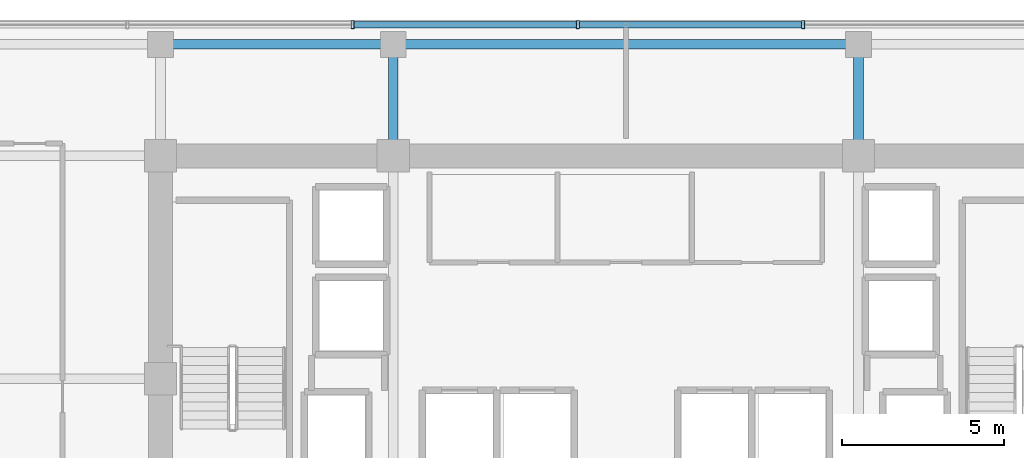
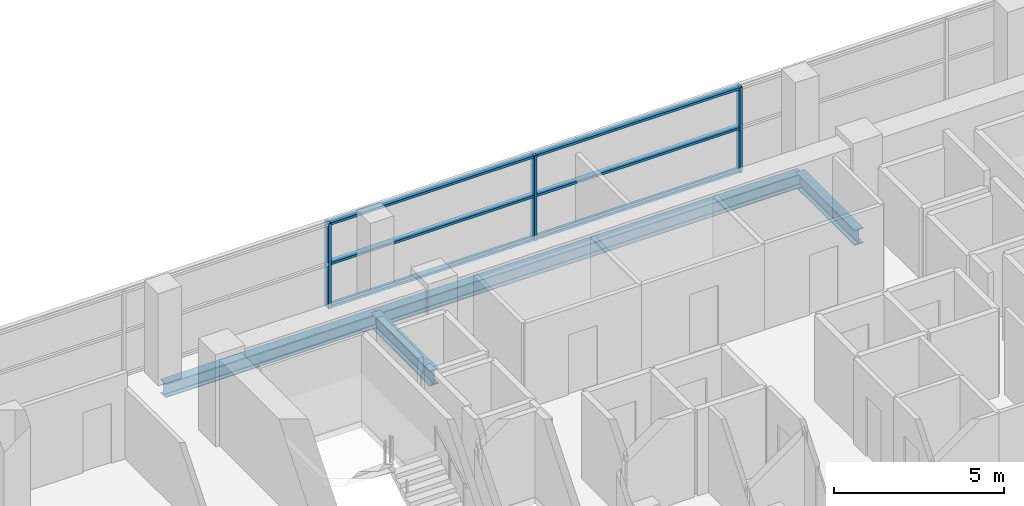
# One storey, part 13 of 24: 9 members, 4 beams, 1 element without a shape of its own.
"""IFC4 building model written with IfcOpenShell, lengths in metres."""

import ifcopenshell
import ifcopenshell.guid

model = None  # the IFC model being written
_history = None  # IfcOwnerHistory: only IFC2X3 demands one
_inside = {}  # id of a spatial element -> (the spatial element, [elements in it])
_under = {}  # id of a project, library or spatial element -> (it, [spatial elements below it])
_declared = {}  # id of a project -> (the project, [libraries it declares])
_typed = {}  # id of a type object -> (the type object, [elements of that type])
_made_of = {}  # id of a material, layer set ... -> (it, [elements and type objects made of it])


def new_model(schema):
    """Start an empty IFC model of exactly this schema.

    Asked for "IFC4X3", IfcOpenShell would pick the latest addendum, in which some entities
    have other attributes; the version numbers below select the first issue.
    IFC2X3 requires an IfcOwnerHistory on every rooted entity: one is made here for all.
    """
    global model, _history
    if schema == "IFC4X3":
        model = ifcopenshell.file(schema_version=(4, 3, 0, 0))
    else:
        model = ifcopenshell.file(schema=schema)
    _inside.clear()
    _under.clear()
    _declared.clear()
    _typed.clear()
    _made_of.clear()
    _history = None
    if model.schema == "IFC2X3":
        org = make("IfcOrganization", Name="unknown")
        user = make(
            "IfcPersonAndOrganization",
            ThePerson=make("IfcPerson", FamilyName="unknown"),
            TheOrganization=org,
        )
        app = make(
            "IfcApplication",
            ApplicationDeveloper=org,
            Version="unknown",
            ApplicationFullName="unknown",
            ApplicationIdentifier="unknown",
        )
        _history = make(
            "IfcOwnerHistory",
            OwningUser=user,
            OwningApplication=app,
            ChangeAction="ADDED",
            CreationDate=0,
        )
    return model


def make(cls, **values):
    """One entity of the class cls with the attributes given. An attribute that is None is left unset."""
    return model.create_entity(
        cls, **{name: value for name, value in values.items() if value is not None}
    )


def rooted(cls, **values):
    """An entity with a GlobalId (a new one), such as an element, a storey or a relation."""
    return make(cls, GlobalId=ifcopenshell.guid.new(), OwnerHistory=_history, **values)


def si_unit(unit_type, name, prefix=None):
    """IfcSIUnit, for example si_unit("LENGTHUNIT", "METRE", prefix="MILLI")."""
    return make("IfcSIUnit", UnitType=unit_type, Prefix=prefix, Name=name)


def assignment(units):
    """IfcUnitAssignment: the units of a project."""
    return None if units is None else make("IfcUnitAssignment", Units=units)


def point(xyz):
    """IfcCartesianPoint."""
    return None if xyz is None else make("IfcCartesianPoint", Coordinates=xyz)


def direction(xyz):
    """IfcDirection."""
    return None if xyz is None else make("IfcDirection", DirectionRatios=xyz)


def frame(location, z_axis=None, x_axis=None):
    """IfcAxis2Placement3D, a coordinate frame: its origin and axes. An axis left out is left unset."""
    return make(
        "IfcAxis2Placement3D",
        Location=point(location),
        Axis=direction(z_axis),
        RefDirection=direction(x_axis),
    )


def frame_2d(location, x_axis=None):
    """IfcAxis2Placement2D, a coordinate frame in the plane: its origin and x axis."""
    return make(
        "IfcAxis2Placement2D", Location=point(location), RefDirection=direction(x_axis)
    )


def origin():
    """The frame at (0, 0, 0) with its axes left unset."""
    return frame((0.0, 0.0, 0.0))


def origin_2d():
    """The frame at (0, 0) in the plane with its x axis left unset."""
    return frame_2d((0.0, 0.0))


def place(relative_to, where):
    """IfcLocalPlacement: puts the frame where relative to a parent placement (None: the world)."""
    return make(
        "IfcLocalPlacement", PlacementRelTo=relative_to, RelativePlacement=where
    )


def context(
    kind, dimensions, precision=None, world=None, true_north=None, identifier=None
):
    """IfcGeometricRepresentationContext, for example the 3D "Model" context."""
    return make(
        "IfcGeometricRepresentationContext",
        ContextIdentifier=identifier,
        ContextType=kind,
        CoordinateSpaceDimension=dimensions,
        Precision=precision,
        WorldCoordinateSystem=world,
        TrueNorth=true_north,
    )


def subcontext(parent, identifier, kind, view, scale=None):
    """IfcGeometricRepresentationSubContext, for example "Body" below "Model"."""
    return make(
        "IfcGeometricRepresentationSubContext",
        ContextIdentifier=identifier,
        ContextType=kind,
        ParentContext=parent,
        TargetScale=scale,
        TargetView=view,
    )


def project(units=None, contexts=None):
    """IfcProject with its units and contexts."""
    return rooted(
        "IfcProject",
        Name="project",
        RepresentationContexts=contexts,
        UnitsInContext=assignment(units),
    )


def spatial(cls, under=None, at=None, **own):
    """A site, building, storey or space (cls), placed at a placement, below another one or the project."""
    s = rooted(cls, ObjectPlacement=at, **own)
    if under is not None:
        _under.setdefault(under.id(), (under, []))[1].append(s)
    return s


def profile(cls, at=None, kind="AREA", **sizes):
    """A parametric profile (cls). Its sizes go by their IFC names, for example OverallWidth=200.0."""
    return make(cls, ProfileType=kind, Position=at, **sizes)


def hollow_rectangle(**sizes):
    """IfcRectangleHollowProfileDef."""
    return profile("IfcRectangleHollowProfileDef", **sizes)


def i_section(**sizes):
    """IfcIShapeProfileDef."""
    return profile("IfcIShapeProfileDef", **sizes)


def extrude(swept, where, along, depth):
    """IfcExtrudedAreaSolid: the profile swept, set in the frame where, extruded along a direction by depth."""
    return make(
        "IfcExtrudedAreaSolid",
        SweptArea=swept,
        Position=where,
        ExtrudedDirection=direction(along),
        Depth=depth,
    )


def shape(context_of_items, identifier, shape_type, items):
    """IfcShapeRepresentation: the items that make up one representation, for example the "Body"."""
    return make(
        "IfcShapeRepresentation",
        ContextOfItems=context_of_items,
        RepresentationIdentifier=identifier,
        RepresentationType=shape_type,
        Items=items,
    )


def source(mapping_origin, context_of_items, identifier, shape_type, items):
    """IfcRepresentationMap: a shape defined once, which mapped items show again and again."""
    return make(
        "IfcRepresentationMap",
        MappingOrigin=mapping_origin,
        MappedRepresentation=shape(context_of_items, identifier, shape_type, items),
    )


def transform(
    local_origin,
    x_axis=None,
    y_axis=None,
    z_axis=None,
    scale=None,
    scale2=None,
    scale3=None,
    uniform=True,
):
    """IfcCartesianTransformationOperator3D, or its non-uniform kind. x_axis, y_axis, z_axis: its Axis1, 2, 3."""
    if uniform:
        return make(
            "IfcCartesianTransformationOperator3D",
            Axis1=direction(x_axis),
            Axis2=direction(y_axis),
            LocalOrigin=point(local_origin),
            Scale=scale,
            Axis3=direction(z_axis),
        )
    return make(
        "IfcCartesianTransformationOperator3DnonUniform",
        Axis1=direction(x_axis),
        Axis2=direction(y_axis),
        LocalOrigin=point(local_origin),
        Scale=scale,
        Axis3=direction(z_axis),
        Scale2=scale2,
        Scale3=scale3,
    )


def mapped(mapping_source, mapping_target):
    """IfcMappedItem: shows the shape of a source again, moved by a transform."""
    return make(
        "IfcMappedItem", MappingSource=mapping_source, MappingTarget=mapping_target
    )


def material(Name=None, Category=None):
    """IfcMaterial."""
    return make("IfcMaterial", Name=Name, Category=Category)


def layer(
    of_material, thickness, ventilated=None, Name=None, Category=None, Priority=None
):
    """IfcMaterialLayer: one layer of a wall or slab, of a material (None: an air gap)."""
    return make(
        "IfcMaterialLayer",
        Material=of_material,
        LayerThickness=thickness,
        IsVentilated=ventilated,
        Name=Name,
        Category=Category,
        Priority=Priority,
    )


def layer_set(layers, Name=None):
    """IfcMaterialLayerSet."""
    return make("IfcMaterialLayerSet", MaterialLayers=layers, LayerSetName=Name)


def material_profile(
    of_material, cross_section, Name=None, Category=None, Priority=None
):
    """IfcMaterialProfile: a cross section and its material."""
    return make(
        "IfcMaterialProfile",
        Name=Name,
        Material=of_material,
        Profile=cross_section,
        Priority=Priority,
        Category=Category,
    )


def profile_set(profiles, Name=None, composite=None):
    """IfcMaterialProfileSet."""
    return make(
        "IfcMaterialProfileSet",
        Name=Name,
        MaterialProfiles=profiles,
        CompositeProfile=composite,
    )


def made_of(thing, what):
    """Note that an element or type object is made of a material, layer set ...; save() writes the relation."""
    if what is not None:
        _made_of.setdefault(what.id(), (what, []))[1].append(thing)
    return thing


def type_object(cls, material=None, **own):
    """A type object (cls), such as IfcWallType, which elements share."""
    return made_of(rooted(cls, **own), material)


def element(
    cls,
    number,
    at=None,
    inside=None,
    cuts=None,
    type_object=None,
    material=None,
    context=None,
    identifier="Body",
    shape_type=None,
    held_by="IfcProductDefinitionShape",
    body=None,
    shapes=None,
    **own,
):
    """One element of the class cls, such as IfcWall. Its Tag is "e" and its number.

    at: its placement. inside: the storey or other place that contains it. cuts: it is an
    opening in that element (IfcRelVoidsElement). A single representation is given by context,
    identifier, shape_type and body (its items); several are given by shapes. held_by: the class
    of the entity that holds the representations. save() writes the other relations.
    """
    e = rooted(cls, Tag="e%d" % number, ObjectPlacement=at, **own)
    if body is not None:
        shapes = [shape(context, identifier, shape_type, body)]
    if shapes is not None:
        e.Representation = make(held_by, Representations=shapes)
    if inside is not None:
        _inside.setdefault(inside.id(), (inside, []))[1].append(e)
    if cuts is not None:
        rooted(
            "IfcRelVoidsElement", RelatingBuildingElement=cuts, RelatedOpeningElement=e
        )
    if type_object is not None:
        _typed.setdefault(type_object.id(), (type_object, []))[1].append(e)
    return made_of(e, material)


def aggregate(whole, parts):
    """IfcRelAggregates: a whole, such as a stair, and the parts it consists of."""
    return rooted("IfcRelAggregates", RelatingObject=whole, RelatedObjects=parts)


def save(model, path):
    """Write the relations noted so far, then the file.

    IfcRelAggregates (storeys below a building ...), IfcRelContainedInSpatialStructure (elements
    in a storey), IfcRelDefinesByType, IfcRelAssociatesMaterial and IfcRelDeclares: one each for
    every whole, place, type object, material and project.
    """
    for whole, parts in _under.values():
        aggregate(whole, parts)
    for where, things in _inside.values():
        rooted(
            "IfcRelContainedInSpatialStructure",
            RelatedElements=things,
            RelatingStructure=where,
        )
    for kind, things in _typed.values():
        rooted("IfcRelDefinesByType", RelatedObjects=things, RelatingType=kind)
    for what, things in _made_of.values():
        rooted("IfcRelAssociatesMaterial", RelatedObjects=things, RelatingMaterial=what)
    for by, libraries in _declared.values():
        rooted("IfcRelDeclares", RelatingContext=by, RelatedDefinitions=libraries)
    model.write(path)


model = new_model("IFC4")

# Units and contexts
model_context = context("Model", 3, precision=1e-05, world=origin(), true_north=direction((0.0, 1.0)))
body_context = subcontext(model_context, "Body", "Model", "MODEL_VIEW")
ifc_project = project(units=[si_unit("LENGTHUNIT", "METRE"), si_unit("AREAUNIT", "SQUARE_METRE"), si_unit("VOLUMEUNIT", "CUBIC_METRE"), si_unit("PLANEANGLEUNIT", "RADIAN"), si_unit("MASSUNIT", "GRAM", prefix="KILO")], contexts=[model_context])

# Site, building, storey
site_placement = place(None, origin())
site = spatial("IfcSite", under=ifc_project, at=site_placement, CompositionType="ELEMENT")
building_placement = place(site_placement, origin())
building = spatial("IfcBuilding", under=site, at=building_placement, Name="Zarnakvel Exchange Tower", CompositionType="ELEMENT")
storey_placement = place(building_placement, frame((0.0, 0.0, 133.0)))
storey = spatial("IfcBuildingStorey", under=building, at=storey_placement, Name="L37", CompositionType="ELEMENT", Elevation=133.0)

# Beams
ifc_material_1 = material(Name="Steel S355", Category="steel")
ifc_material_profile_1 = material_profile(ifc_material_1, i_section(OverallWidth=0.300048828125, OverallDepth=0.550048828125, WebThickness=0.014892578125, FlangeThickness=0.029052734375, FilletRadius=0.027099609375, at=origin_2d()))
ifc_profile_set_1 = profile_set([ifc_material_profile_1], Name="Steel S355")
beam_type_1 = type_object("IfcBeamType", Name="G-05", PredefinedType="BEAM", material=ifc_profile_set_1)
for number, where, z_axis, x_axis, name in (
    (1, (-7.199951171875, 13.5, -0.5), (0.0, 1.0, 0.0), (-1.0, 0.0, 0.0), "L37 Tower N-S Frame Beam"),
    (2, (7.199951171875, 13.5, -0.5), (0.0, 1.0, 0.0), (-1.0, 0.0, 0.0), "L37 Tower N-S Frame Beam"),
):
    element("IfcBeam", number, at=place(storey_placement, frame(where, z_axis=z_axis, x_axis=x_axis)), inside=storey, type_object=beam_type_1, Name=name, PredefinedType="BEAM", context=body_context, shape_type="SweptSolid", body=[
        extrude(i_section(OverallWidth=0.300048828125, OverallDepth=0.550048828125, WebThickness=0.014892578125, FlangeThickness=0.029052734375, FilletRadius=0.027099609375, at=origin_2d()), origin(), (0.0, 0.0, 1.0), 3.449951171875),
    ])
ifc_material_profile_2 = material_profile(ifc_material_1, i_section(OverallWidth=0.300048828125, OverallDepth=0.5, WebThickness=0.014404296875, FlangeThickness=0.028076171875, FilletRadius=0.027099609375, at=origin_2d()))
ifc_profile_set_2 = profile_set([ifc_material_profile_2], Name="Steel S355")
beam_type_2 = type_object("IfcBeamType", Name="SP-02", PredefinedType="SPANDREL", material=ifc_profile_set_2)
beam_1_placement = place(storey_placement, frame((-14.39990234375, 16.949951171875, -0.47509765625), z_axis=(1.0, 0.0, 0.0), x_axis=(0.0, 1.0, 0.0)))
element("IfcBeam", 3, at=beam_1_placement, inside=storey, type_object=beam_type_2, Name="L37 Tower E-W Frame Beam", PredefinedType="SPANDREL", context=body_context, shape_type="SweptSolid", body=[
    extrude(i_section(OverallWidth=0.300048828125, OverallDepth=0.5, WebThickness=0.014404296875, FlangeThickness=0.028076171875, FilletRadius=0.027099609375, at=origin_2d()), origin(), (0.0, 0.0, 1.0), 7.199951171875),
])
beam_2_placement = place(storey_placement, frame((-7.199951171875, 16.949951171875, -0.47509765625), z_axis=(1.0, 0.0, 0.0), x_axis=(0.0, 1.0, 0.0)))
element("IfcBeam", 4, at=beam_2_placement, inside=storey, type_object=beam_type_2, Name="L37 Tower E-W Frame Beam", PredefinedType="SPANDREL", context=body_context, shape_type="SweptSolid", body=[
    extrude(i_section(OverallWidth=0.300048828125, OverallDepth=0.5, WebThickness=0.014404296875, FlangeThickness=0.028076171875, FilletRadius=0.027099609375, at=origin_2d()), origin(), (0.0, 0.0, 1.0), 14.39990234375),
])

# Curtain wall, members
ifc_material_2 = material(Name="Architectural Bronze Anodised Aluminium", Category="aluminium")
ifc_layer = layer(ifc_material_2, 0.239990234375)
ifc_layer_set = layer_set([ifc_layer], Name="Architectural Bronze Anodised Aluminium")
curtain_wall_type = type_object("IfcCurtainWallType", Name="CW-02", PredefinedType="NOTDEFINED", material=ifc_layer_set)
curtain_wall_placement = place(storey_placement, origin())
curtain_wall = element("IfcCurtainWall", 5, at=curtain_wall_placement, inside=storey, type_object=curtain_wall_type, Name="L37 Curtain Wall CW-L37-N1 (CW-02)", PredefinedType="NOTDEFINED")
ifc_material_profile_3 = material_profile(ifc_material_2, hollow_rectangle(XDim=0.239990234375, YDim=0.090087890625, WallThickness=0.006103515625, at=origin_2d()))
ifc_profile_set_3 = profile_set([ifc_material_profile_3], Name="Architectural Bronze Anodised Aluminium")
member_type_1 = type_object("IfcMemberType", Name="CWM-02", PredefinedType="MULLION", material=ifc_profile_set_3)
shared_shape_1 = source(origin(), body_context, "Body", "SweptSolid", [
    extrude(hollow_rectangle(XDim=0.239990234375, YDim=0.090087890625, WallThickness=0.006103515625, at=origin_2d()), origin(), (0.0, 0.0, 1.0), 3.054931640625),
])
member_1_placement = place(storey_placement, frame((-8.45703125, 17.56005859375, 0.0), z_axis=(0.0, 0.0, 1.0), x_axis=(0.0, 1.0, 0.0)))
member_1 = element("IfcMember", 6, at=member_1_placement, type_object=member_type_1, Name="CW-02 mullion 3", PredefinedType="MULLION", context=body_context, shape_type="MappedRepresentation", body=[
    mapped(shared_shape_1, transform((0.0, 0.0, 0.0), x_axis=(1.0, 0.0, 0.0), y_axis=(0.0, 1.0, 0.0), z_axis=(0.0, 0.0, 1.0), scale=1.0)),
])
member_2_placement = place(storey_placement, frame((-1.485595703125, 17.56005859375, 0.0), z_axis=(0.0, 0.0, 1.0), x_axis=(0.0, 1.0, 0.0)))
member_2 = element("IfcMember", 7, at=member_2_placement, type_object=member_type_1, Name="CW-02 mullion 4", PredefinedType="MULLION", context=body_context, shape_type="MappedRepresentation", body=[
    mapped(shared_shape_1, transform((0.0, 0.0, 0.0), x_axis=(1.0, 0.0, 0.0), y_axis=(0.0, 1.0, 0.0), z_axis=(0.0, 0.0, 1.0), scale=1.0)),
])
member_3_placement = place(storey_placement, frame((5.485595703125, 17.56005859375, 0.0), z_axis=(0.0, 0.0, 1.0), x_axis=(0.0, 1.0, 0.0)))
member_3 = element("IfcMember", 8, at=member_3_placement, type_object=member_type_1, Name="CW-02 mullion 5", PredefinedType="MULLION", context=body_context, shape_type="MappedRepresentation", body=[
    mapped(shared_shape_1, transform((0.0, 0.0, 0.0), x_axis=(1.0, 0.0, 0.0), y_axis=(0.0, 1.0, 0.0), z_axis=(0.0, 0.0, 1.0), scale=1.0)),
])
ifc_material_profile_4 = material_profile(ifc_material_2, hollow_rectangle(XDim=0.199951171875, YDim=0.0849609375, WallThickness=0.0048828125, at=origin_2d()))
ifc_profile_set_4 = profile_set([ifc_material_profile_4], Name="Architectural Bronze Anodised Aluminium")
member_type_2 = type_object("IfcMemberType", Name="CWT-02", PredefinedType="USERDEFINED", material=ifc_profile_set_4)
shared_shape_2 = source(origin(), body_context, "Body", "SweptSolid", [
    extrude(hollow_rectangle(XDim=0.199951171875, YDim=0.0849609375, WallThickness=0.0048828125, at=origin_2d()), origin(), (0.0, 0.0, 1.0), 6.88134765625),
])
member_4_placement = place(storey_placement, frame((-8.412109375, 17.56005859375, 0.04248046875), z_axis=(1.0, 0.0, 0.0), x_axis=(0.0, 1.0, 0.0)))
member_4 = element("IfcMember", 9, at=member_4_placement, type_object=member_type_2, Name="CW-02 transom 3.1", ObjectType="TRANSOM", PredefinedType="USERDEFINED", context=body_context, shape_type="MappedRepresentation", body=[
    mapped(shared_shape_2, transform((0.0, 0.0, 0.0), x_axis=(1.0, 0.0, 0.0), y_axis=(0.0, 1.0, 0.0), z_axis=(0.0, 0.0, 1.0), scale=1.0)),
])
member_5_placement = place(storey_placement, frame((-8.412109375, 17.56005859375, 1.588623046875), z_axis=(1.0, 0.0, 0.0), x_axis=(0.0, 1.0, 0.0)))
member_5 = element("IfcMember", 10, at=member_5_placement, type_object=member_type_2, Name="CW-02 transom 3.2", ObjectType="TRANSOM", PredefinedType="USERDEFINED", context=body_context, shape_type="MappedRepresentation", body=[
    mapped(shared_shape_2, transform((0.0, 0.0, 0.0), x_axis=(1.0, 0.0, 0.0), y_axis=(0.0, 1.0, 0.0), z_axis=(0.0, 0.0, 1.0), scale=1.0)),
])
member_6_placement = place(storey_placement, frame((-8.412109375, 17.56005859375, 3.012451171875), z_axis=(1.0, 0.0, 0.0), x_axis=(0.0, 1.0, 0.0)))
member_6 = element("IfcMember", 11, at=member_6_placement, type_object=member_type_2, Name="CW-02 transom 3.3", ObjectType="TRANSOM", PredefinedType="USERDEFINED", context=body_context, shape_type="MappedRepresentation", body=[
    mapped(shared_shape_2, transform((0.0, 0.0, 0.0), x_axis=(1.0, 0.0, 0.0), y_axis=(0.0, 1.0, 0.0), z_axis=(0.0, 0.0, 1.0), scale=1.0)),
])
member_7_placement = place(storey_placement, frame((-1.440673828125, 17.56005859375, 0.04248046875), z_axis=(1.0, 0.0, 0.0), x_axis=(0.0, 1.0, 0.0)))
member_7 = element("IfcMember", 12, at=member_7_placement, type_object=member_type_2, Name="CW-02 transom 4.1", ObjectType="TRANSOM", PredefinedType="USERDEFINED", context=body_context, shape_type="MappedRepresentation", body=[
    mapped(shared_shape_2, transform((0.0, 0.0, 0.0), x_axis=(1.0, 0.0, 0.0), y_axis=(0.0, 1.0, 0.0), z_axis=(0.0, 0.0, 1.0), scale=1.0)),
])
member_8_placement = place(storey_placement, frame((-1.440673828125, 17.56005859375, 1.588623046875), z_axis=(1.0, 0.0, 0.0), x_axis=(0.0, 1.0, 0.0)))
member_8 = element("IfcMember", 13, at=member_8_placement, type_object=member_type_2, Name="CW-02 transom 4.2", ObjectType="TRANSOM", PredefinedType="USERDEFINED", context=body_context, shape_type="MappedRepresentation", body=[
    mapped(shared_shape_2, transform((0.0, 0.0, 0.0), x_axis=(1.0, 0.0, 0.0), y_axis=(0.0, 1.0, 0.0), z_axis=(0.0, 0.0, 1.0), scale=1.0)),
])
member_9_placement = place(storey_placement, frame((-1.440673828125, 17.56005859375, 3.012451171875), z_axis=(1.0, 0.0, 0.0), x_axis=(0.0, 1.0, 0.0)))
member_9 = element("IfcMember", 14, at=member_9_placement, type_object=member_type_2, Name="CW-02 transom 4.3", ObjectType="TRANSOM", PredefinedType="USERDEFINED", context=body_context, shape_type="MappedRepresentation", body=[
    mapped(shared_shape_2, transform((0.0, 0.0, 0.0), x_axis=(1.0, 0.0, 0.0), y_axis=(0.0, 1.0, 0.0), z_axis=(0.0, 0.0, 1.0), scale=1.0)),
])
aggregate(curtain_wall, [member_1, member_2, member_3, member_4, member_5, member_6, member_7, member_8, member_9])

save(model, "model.ifc")
